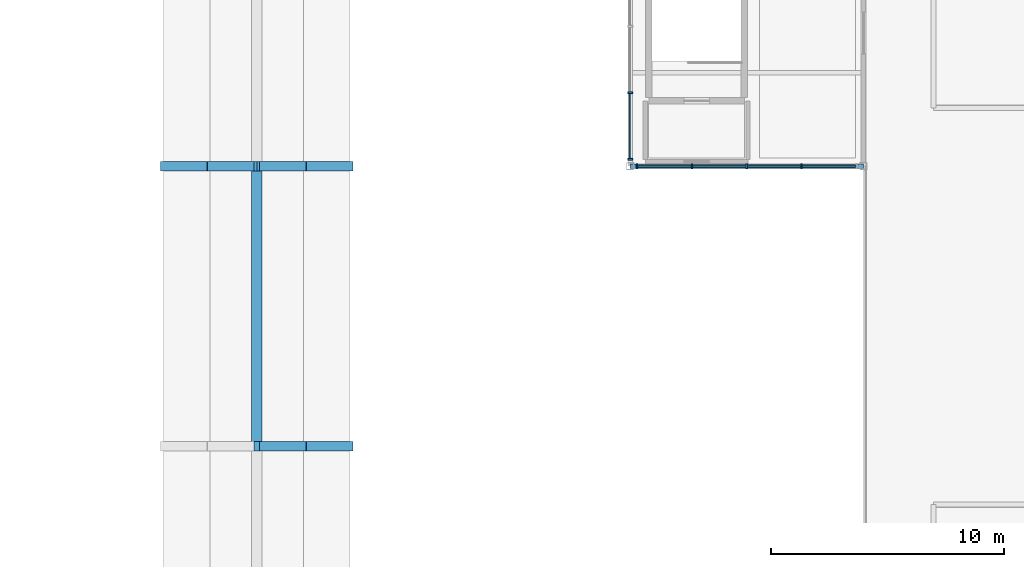
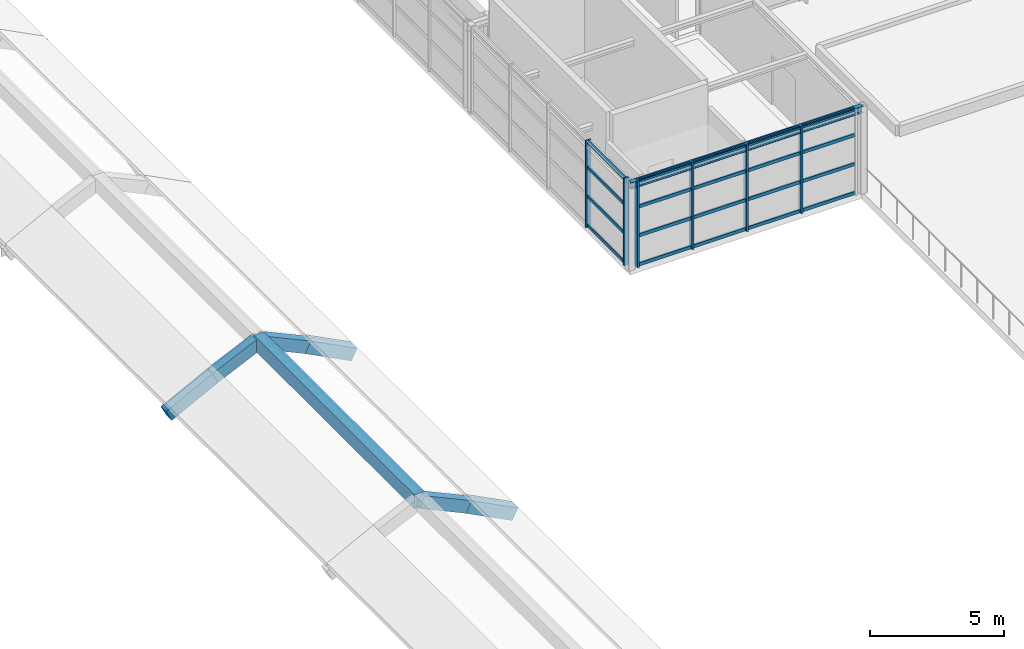
# One storey, part 16 of 49: 26 members, 8 beams, 2 elements without a shape of their own.
"""IFC4 building model written with IfcOpenShell, lengths in metres."""

import ifcopenshell
import ifcopenshell.guid

model = None  # the IFC model being written
_history = None  # IfcOwnerHistory: only IFC2X3 demands one
_inside = {}  # id of a spatial element -> (the spatial element, [elements in it])
_under = {}  # id of a project, library or spatial element -> (it, [spatial elements below it])
_declared = {}  # id of a project -> (the project, [libraries it declares])
_typed = {}  # id of a type object -> (the type object, [elements of that type])
_made_of = {}  # id of a material, layer set ... -> (it, [elements and type objects made of it])


def new_model(schema):
    """Start an empty IFC model of exactly this schema.

    Asked for "IFC4X3", IfcOpenShell would pick the latest addendum, in which some entities
    have other attributes; the version numbers below select the first issue.
    IFC2X3 requires an IfcOwnerHistory on every rooted entity: one is made here for all.
    """
    global model, _history
    if schema == "IFC4X3":
        model = ifcopenshell.file(schema_version=(4, 3, 0, 0))
    else:
        model = ifcopenshell.file(schema=schema)
    _inside.clear()
    _under.clear()
    _declared.clear()
    _typed.clear()
    _made_of.clear()
    _history = None
    if model.schema == "IFC2X3":
        org = make("IfcOrganization", Name="unknown")
        user = make(
            "IfcPersonAndOrganization",
            ThePerson=make("IfcPerson", FamilyName="unknown"),
            TheOrganization=org,
        )
        app = make(
            "IfcApplication",
            ApplicationDeveloper=org,
            Version="unknown",
            ApplicationFullName="unknown",
            ApplicationIdentifier="unknown",
        )
        _history = make(
            "IfcOwnerHistory",
            OwningUser=user,
            OwningApplication=app,
            ChangeAction="ADDED",
            CreationDate=0,
        )
    return model


def make(cls, **values):
    """One entity of the class cls with the attributes given. An attribute that is None is left unset."""
    return model.create_entity(
        cls, **{name: value for name, value in values.items() if value is not None}
    )


def rooted(cls, **values):
    """An entity with a GlobalId (a new one), such as an element, a storey or a relation."""
    return make(cls, GlobalId=ifcopenshell.guid.new(), OwnerHistory=_history, **values)


def si_unit(unit_type, name, prefix=None):
    """IfcSIUnit, for example si_unit("LENGTHUNIT", "METRE", prefix="MILLI")."""
    return make("IfcSIUnit", UnitType=unit_type, Prefix=prefix, Name=name)


def assignment(units):
    """IfcUnitAssignment: the units of a project."""
    return None if units is None else make("IfcUnitAssignment", Units=units)


def point(xyz):
    """IfcCartesianPoint."""
    return None if xyz is None else make("IfcCartesianPoint", Coordinates=xyz)


def direction(xyz):
    """IfcDirection."""
    return None if xyz is None else make("IfcDirection", DirectionRatios=xyz)


def frame(location, z_axis=None, x_axis=None):
    """IfcAxis2Placement3D, a coordinate frame: its origin and axes. An axis left out is left unset."""
    return make(
        "IfcAxis2Placement3D",
        Location=point(location),
        Axis=direction(z_axis),
        RefDirection=direction(x_axis),
    )


def frame_2d(location, x_axis=None):
    """IfcAxis2Placement2D, a coordinate frame in the plane: its origin and x axis."""
    return make(
        "IfcAxis2Placement2D", Location=point(location), RefDirection=direction(x_axis)
    )


def origin():
    """The frame at (0, 0, 0) with its axes left unset."""
    return frame((0.0, 0.0, 0.0))


def origin_2d():
    """The frame at (0, 0) in the plane with its x axis left unset."""
    return frame_2d((0.0, 0.0))


def place(relative_to, where):
    """IfcLocalPlacement: puts the frame where relative to a parent placement (None: the world)."""
    return make(
        "IfcLocalPlacement", PlacementRelTo=relative_to, RelativePlacement=where
    )


def context(
    kind, dimensions, precision=None, world=None, true_north=None, identifier=None
):
    """IfcGeometricRepresentationContext, for example the 3D "Model" context."""
    return make(
        "IfcGeometricRepresentationContext",
        ContextIdentifier=identifier,
        ContextType=kind,
        CoordinateSpaceDimension=dimensions,
        Precision=precision,
        WorldCoordinateSystem=world,
        TrueNorth=true_north,
    )


def subcontext(parent, identifier, kind, view, scale=None):
    """IfcGeometricRepresentationSubContext, for example "Body" below "Model"."""
    return make(
        "IfcGeometricRepresentationSubContext",
        ContextIdentifier=identifier,
        ContextType=kind,
        ParentContext=parent,
        TargetScale=scale,
        TargetView=view,
    )


def project(units=None, contexts=None):
    """IfcProject with its units and contexts."""
    return rooted(
        "IfcProject",
        Name="project",
        RepresentationContexts=contexts,
        UnitsInContext=assignment(units),
    )


def spatial(cls, under=None, at=None, **own):
    """A site, building, storey or space (cls), placed at a placement, below another one or the project."""
    s = rooted(cls, ObjectPlacement=at, **own)
    if under is not None:
        _under.setdefault(under.id(), (under, []))[1].append(s)
    return s


def profile(cls, at=None, kind="AREA", **sizes):
    """A parametric profile (cls). Its sizes go by their IFC names, for example OverallWidth=200.0."""
    return make(cls, ProfileType=kind, Position=at, **sizes)


def rectangle(**sizes):
    """IfcRectangleProfileDef."""
    return profile("IfcRectangleProfileDef", **sizes)


def i_section(**sizes):
    """IfcIShapeProfileDef."""
    return profile("IfcIShapeProfileDef", **sizes)


def extrude(swept, where, along, depth):
    """IfcExtrudedAreaSolid: the profile swept, set in the frame where, extruded along a direction by depth."""
    return make(
        "IfcExtrudedAreaSolid",
        SweptArea=swept,
        Position=where,
        ExtrudedDirection=direction(along),
        Depth=depth,
    )


def shape(context_of_items, identifier, shape_type, items):
    """IfcShapeRepresentation: the items that make up one representation, for example the "Body"."""
    return make(
        "IfcShapeRepresentation",
        ContextOfItems=context_of_items,
        RepresentationIdentifier=identifier,
        RepresentationType=shape_type,
        Items=items,
    )


def material(Name=None, Category=None):
    """IfcMaterial."""
    return make("IfcMaterial", Name=Name, Category=Category)


def layer(
    of_material, thickness, ventilated=None, Name=None, Category=None, Priority=None
):
    """IfcMaterialLayer: one layer of a wall or slab, of a material (None: an air gap)."""
    return make(
        "IfcMaterialLayer",
        Material=of_material,
        LayerThickness=thickness,
        IsVentilated=ventilated,
        Name=Name,
        Category=Category,
        Priority=Priority,
    )


def layer_set(layers, Name=None):
    """IfcMaterialLayerSet."""
    return make("IfcMaterialLayerSet", MaterialLayers=layers, LayerSetName=Name)


def material_profile(
    of_material, cross_section, Name=None, Category=None, Priority=None
):
    """IfcMaterialProfile: a cross section and its material."""
    return make(
        "IfcMaterialProfile",
        Name=Name,
        Material=of_material,
        Profile=cross_section,
        Priority=Priority,
        Category=Category,
    )


def profile_set(profiles, Name=None, composite=None):
    """IfcMaterialProfileSet."""
    return make(
        "IfcMaterialProfileSet",
        Name=Name,
        MaterialProfiles=profiles,
        CompositeProfile=composite,
    )


def made_of(thing, what):
    """Note that an element or type object is made of a material, layer set ...; save() writes the relation."""
    if what is not None:
        _made_of.setdefault(what.id(), (what, []))[1].append(thing)
    return thing


def type_object(cls, material=None, **own):
    """A type object (cls), such as IfcWallType, which elements share."""
    return made_of(rooted(cls, **own), material)


def element(
    cls,
    number,
    at=None,
    inside=None,
    cuts=None,
    type_object=None,
    material=None,
    context=None,
    identifier="Body",
    shape_type=None,
    held_by="IfcProductDefinitionShape",
    body=None,
    shapes=None,
    **own,
):
    """One element of the class cls, such as IfcWall. Its Tag is "e" and its number.

    at: its placement. inside: the storey or other place that contains it. cuts: it is an
    opening in that element (IfcRelVoidsElement). A single representation is given by context,
    identifier, shape_type and body (its items); several are given by shapes. held_by: the class
    of the entity that holds the representations. save() writes the other relations.
    """
    e = rooted(cls, Tag="e%d" % number, ObjectPlacement=at, **own)
    if body is not None:
        shapes = [shape(context, identifier, shape_type, body)]
    if shapes is not None:
        e.Representation = make(held_by, Representations=shapes)
    if inside is not None:
        _inside.setdefault(inside.id(), (inside, []))[1].append(e)
    if cuts is not None:
        rooted(
            "IfcRelVoidsElement", RelatingBuildingElement=cuts, RelatedOpeningElement=e
        )
    if type_object is not None:
        _typed.setdefault(type_object.id(), (type_object, []))[1].append(e)
    return made_of(e, material)


def aggregate(whole, parts):
    """IfcRelAggregates: a whole, such as a stair, and the parts it consists of."""
    return rooted("IfcRelAggregates", RelatingObject=whole, RelatedObjects=parts)


def save(model, path):
    """Write the relations noted so far, then the file.

    IfcRelAggregates (storeys below a building ...), IfcRelContainedInSpatialStructure (elements
    in a storey), IfcRelDefinesByType, IfcRelAssociatesMaterial and IfcRelDeclares: one each for
    every whole, place, type object, material and project.
    """
    for whole, parts in _under.values():
        aggregate(whole, parts)
    for where, things in _inside.values():
        rooted(
            "IfcRelContainedInSpatialStructure",
            RelatedElements=things,
            RelatingStructure=where,
        )
    for kind, things in _typed.values():
        rooted("IfcRelDefinesByType", RelatedObjects=things, RelatingType=kind)
    for what, things in _made_of.values():
        rooted("IfcRelAssociatesMaterial", RelatedObjects=things, RelatingMaterial=what)
    for by, libraries in _declared.values():
        rooted("IfcRelDeclares", RelatingContext=by, RelatedDefinitions=libraries)
    model.write(path)


model = new_model("IFC4")

# Units and contexts
model_context = context("Model", 3, precision=1e-05, world=origin(), true_north=direction((0.0, 1.0)))
body_context = subcontext(model_context, "Body", "Model", "MODEL_VIEW")
ifc_project = project(units=[si_unit("LENGTHUNIT", "METRE"), si_unit("AREAUNIT", "SQUARE_METRE"), si_unit("VOLUMEUNIT", "CUBIC_METRE"), si_unit("PLANEANGLEUNIT", "RADIAN"), si_unit("MASSUNIT", "GRAM", prefix="KILO")], contexts=[model_context])

# Site, building, storey
site_placement = place(None, origin())
site = spatial("IfcSite", under=ifc_project, at=site_placement, CompositionType="ELEMENT")
building_placement = place(site_placement, origin())
building = spatial("IfcBuilding", under=site, at=building_placement, Name="Sitalva Quay Ferry Terminal", CompositionType="ELEMENT")
storey_placement = place(building_placement, frame((0.0, 0.0, 10.199951171875)))
storey = spatial("IfcBuildingStorey", under=building, at=storey_placement, Name="L03", CompositionType="ELEMENT", Elevation=10.199951171875)

# Beams
ifc_material_1 = material(Name="Concrete C40/50", Category="concrete")
ifc_material_profile_1 = material_profile(ifc_material_1, rectangle(XDim=0.39990234375, YDim=0.550048828125, at=origin_2d()), Name="RC400x550")
ifc_profile_set_1 = profile_set([ifc_material_profile_1], Name="Concrete C40/50")
beam_type_1 = type_object("IfcBeamType", Name="Beam_Arch_RC400x550", PredefinedType="BEAM", material=ifc_profile_set_1)
beam_1_placement = place(storey_placement, frame((58.0, 54.0, 2.348876953125), z_axis=(0.908124785196, 0.0, -0.418699623253), x_axis=(0.0, 1.0, 0.0)))
element("IfcBeam", 1, at=beam_1_placement, inside=storey, type_object=beam_type_1, Name="Vault V1 transverse arch rib 5.9", PredefinedType="BEAM", context=body_context, shape_type="SweptSolid", body=[
    extrude(rectangle(XDim=0.39990234375, YDim=0.550048828125, at=origin_2d()), origin(), (0.0, 0.0, 1.0), 2.202392578125),
])
for number, where, z_axis, x_axis, name in (
    (2, (60.0, 54.0, 1.423095703125), (0.88942149916, 0.0, -0.457087953059), (0.0, 1.0, 0.0), "Vault V1 transverse arch rib 5.10"),
    (3, (54.0, 66.0, 0.395263671875), (0.88942149916, 0.0, 0.457087953059), (0.0, 1.0, 0.0), "Vault V1 transverse arch rib 6.7"),
):
    element("IfcBeam", number, at=place(storey_placement, frame(where, z_axis=z_axis, x_axis=x_axis)), inside=storey, type_object=beam_type_1, Name=name, PredefinedType="BEAM", context=body_context, shape_type="SweptSolid", body=[
        extrude(rectangle(XDim=0.39990234375, YDim=0.550048828125, at=origin_2d()), origin(), (0.0, 0.0, 1.0), 2.24853515625),
    ])
for number, where, z_axis, x_axis, name in (
    (4, (56.0, 66.0, 1.4267578125), (0.908124785196, 0.0, 0.418699623253), (0.0, 1.0, 0.0), "Vault V1 transverse arch rib 6.8"),
    (5, (58.0, 66.0, 2.348876953125), (0.908124785196, 0.0, -0.418699623253), (0.0, 1.0, 0.0), "Vault V1 transverse arch rib 6.9"),
):
    element("IfcBeam", number, at=place(storey_placement, frame(where, z_axis=z_axis, x_axis=x_axis)), inside=storey, type_object=beam_type_1, Name=name, PredefinedType="BEAM", context=body_context, shape_type="SweptSolid", body=[
        extrude(rectangle(XDim=0.39990234375, YDim=0.550048828125, at=origin_2d()), origin(), (0.0, 0.0, 1.0), 2.202392578125),
    ])
beam_2_placement = place(storey_placement, frame((60.0, 66.0, 1.423095703125), z_axis=(0.88942149916, 0.0, -0.457087953059), x_axis=(0.0, 1.0, 0.0)))
element("IfcBeam", 6, at=beam_2_placement, inside=storey, type_object=beam_type_1, Name="Vault V1 transverse arch rib 6.10", PredefinedType="BEAM", context=body_context, shape_type="SweptSolid", body=[
    extrude(rectangle(XDim=0.39990234375, YDim=0.550048828125, at=origin_2d()), origin(), (0.0, 0.0, 1.0), 2.24853515625),
])
ifc_material_2 = material(Name="Concrete C40/50", Category="concrete")
ifc_material_profile_2 = material_profile(ifc_material_2, rectangle(XDim=0.449951171875, YDim=0.64990234375, at=origin_2d()), Name="RC450x650")
ifc_profile_set_2 = profile_set([ifc_material_profile_2], Name="Concrete C40/50")
beam_type_2 = type_object("IfcBeamType", Name="Beam_Ridge_RC450x650", PredefinedType="BEAM", material=ifc_profile_set_2)
beam_3_placement = place(storey_placement, frame((58.0, 54.0, 2.31494140625), z_axis=(0.0, 1.0, 0.0), x_axis=(-1.0, 0.0, 0.0)))
element("IfcBeam", 7, at=beam_3_placement, inside=storey, type_object=beam_type_2, Name="Vault V1 pointed ridge beam bay 5", PredefinedType="BEAM", context=body_context, shape_type="SweptSolid", body=[
    extrude(rectangle(XDim=0.449951171875, YDim=0.64990234375, at=origin_2d()), origin(), (0.0, 0.0, 1.0), 12.0),
])
ifc_material_3 = material(Name="Structural Steel S355JR", Category="steel")
ifc_material_profile_3 = material_profile(ifc_material_3, i_section(OverallWidth=0.202880859375, OverallDepth=0.302978515625, WebThickness=0.007568359375, FlangeThickness=0.01318359375, FilletRadius=0.011962890625, at=origin_2d()), Name="W310x60")
ifc_profile_set_3 = profile_set([ifc_material_profile_3], Name="Structural Steel S355JR")
beam_type_3 = type_object("IfcBeamType", Name="Beam_W310x60", PredefinedType="BEAM", material=ifc_profile_set_3)
beam_4_placement = place(storey_placement, frame((74.0, 66.0, 3.80859375), z_axis=(1.0, 0.0, 0.0), x_axis=(0.0, 1.0, 0.0)))
element("IfcBeam", 8, at=beam_4_placement, inside=storey, type_object=beam_type_3, Name="L03 Primary X girder 1196", PredefinedType="BEAM", context=body_context, shape_type="SweptSolid", body=[
    extrude(i_section(OverallWidth=0.202880859375, OverallDepth=0.302978515625, WebThickness=0.007568359375, FlangeThickness=0.01318359375, FilletRadius=0.011962890625, at=origin_2d()), origin(), (0.0, 0.0, 1.0), 10.0),
])

# Curtain wall, members
ifc_material_4 = material(Name="Anodised Aluminium & Low-E Glazing", Category="aluminium")
ifc_layer = layer(ifc_material_4, 0.159912109375)
ifc_layer_set = layer_set([ifc_layer], Name="Anodised Aluminium & Low-E Glazing")
curtain_wall_type = type_object("IfcCurtainWallType", Name="CW_Office_Unitised", PredefinedType="USERDEFINED", material=ifc_layer_set)
curtain_wall_1_placement = place(storey_placement, origin())
curtain_wall_1 = element("IfcCurtainWall", 9, at=curtain_wall_1_placement, inside=storey, type_object=curtain_wall_type, Name="L03 north spine south glazing (CW-L03-090)", ObjectType="CURTAIN_WALL", PredefinedType="USERDEFINED")
ifc_material_5 = material(Name="Anodised Aluminium 6063-T6", Category="aluminium")
ifc_material_profile_4 = material_profile(ifc_material_5, rectangle(XDim=0.074951171875, YDim=0.219970703125, at=origin_2d()), Name="ALU75x220")
ifc_profile_set_4 = profile_set([ifc_material_profile_4], Name="Anodised Aluminium 6063-T6")
member_type_1 = type_object("IfcMemberType", Name="Mullion_Alu_75x160", PredefinedType="MULLION", material=ifc_profile_set_4)
member_1_placement = place(storey_placement, frame((74.300048828125, 66.0, 0.0), z_axis=(0.0, 0.0, 1.0), x_axis=(1.0, 0.0, 0.0)))
member_1 = element("IfcMember", 10, at=member_1_placement, type_object=member_type_1, Name="CW-L03-090-M0", PredefinedType="MULLION", context=body_context, shape_type="SweptSolid", body=[
    extrude(rectangle(XDim=0.074951171875, YDim=0.219970703125, at=origin_2d()), origin(), (0.0, 0.0, 1.0), 3.9599609375),
])
member_2_placement = place(storey_placement, frame((76.64990234375, 66.0, 0.0), z_axis=(0.0, 0.0, 1.0), x_axis=(1.0, 0.0, 0.0)))
member_2 = element("IfcMember", 11, at=member_2_placement, type_object=member_type_1, Name="CW-L03-090-M1", PredefinedType="MULLION", context=body_context, shape_type="SweptSolid", body=[
    extrude(rectangle(XDim=0.074951171875, YDim=0.219970703125, at=origin_2d()), origin(), (0.0, 0.0, 1.0), 3.9599609375),
])
member_3_placement = place(storey_placement, frame((79.0, 66.0, 0.0), z_axis=(0.0, 0.0, 1.0), x_axis=(1.0, 0.0, 0.0)))
member_3 = element("IfcMember", 12, at=member_3_placement, type_object=member_type_1, Name="CW-L03-090-M2", PredefinedType="MULLION", context=body_context, shape_type="SweptSolid", body=[
    extrude(rectangle(XDim=0.074951171875, YDim=0.219970703125, at=origin_2d()), origin(), (0.0, 0.0, 1.0), 3.9599609375),
])
member_4_placement = place(storey_placement, frame((81.35009765625, 66.0, 0.0), z_axis=(0.0, 0.0, 1.0), x_axis=(1.0, 0.0, 0.0)))
member_4 = element("IfcMember", 13, at=member_4_placement, type_object=member_type_1, Name="CW-L03-090-M3", PredefinedType="MULLION", context=body_context, shape_type="SweptSolid", body=[
    extrude(rectangle(XDim=0.074951171875, YDim=0.219970703125, at=origin_2d()), origin(), (0.0, 0.0, 1.0), 3.9599609375),
])

curtain_wall_2_placement = place(storey_placement, origin())
curtain_wall_2 = element("IfcCurtainWall", 14, at=curtain_wall_2_placement, inside=storey, type_object=curtain_wall_type, Name="L03 north spine west glazing (CW-L03-091)", ObjectType="CURTAIN_WALL", PredefinedType="USERDEFINED")
member_5_placement = place(storey_placement, frame((74.0, 66.300048828125, 0.0), z_axis=(0.0, 0.0, 1.0), x_axis=(0.0, 1.0, 0.0)))
member_5 = element("IfcMember", 15, at=member_5_placement, type_object=member_type_1, Name="CW-L03-091-M0", PredefinedType="MULLION", context=body_context, shape_type="SweptSolid", body=[
    extrude(rectangle(XDim=0.074951171875, YDim=0.219970703125, at=origin_2d()), origin(), (0.0, 0.0, 1.0), 3.9599609375),
])
member_6_placement = place(storey_placement, frame((74.0, 69.14990234375, 0.0), z_axis=(0.0, 0.0, 1.0), x_axis=(0.0, 1.0, 0.0)))
member_6 = element("IfcMember", 16, at=member_6_placement, type_object=member_type_1, Name="CW-L03-091-M1", PredefinedType="MULLION", context=body_context, shape_type="SweptSolid", body=[
    extrude(rectangle(XDim=0.074951171875, YDim=0.219970703125, at=origin_2d()), origin(), (0.0, 0.0, 1.0), 3.9599609375),
])

# Member
ifc_material_6 = material(Name="Anodised Aluminium 6063-T6", Category="aluminium")
ifc_material_profile_5 = material_profile(ifc_material_6, rectangle(XDim=0.074951171875, YDim=0.14990234375, at=origin_2d()), Name="ALU75x150")
ifc_profile_set_5 = profile_set([ifc_material_profile_5], Name="Anodised Aluminium 6063-T6")
member_type_2 = type_object("IfcMemberType", Name="Transom_Alu_75x140", PredefinedType="MULLION", material=ifc_profile_set_5)
member_7_placement = place(storey_placement, frame((74.33740234375, 66.0, 0.074951171875), z_axis=(1.0, 0.0, 0.0), x_axis=(0.0, 1.0, 0.0)))
member_7 = element("IfcMember", 17, at=member_7_placement, type_object=member_type_2, Name="CW-L03-090-T0-0", ObjectType="TRANSOM", PredefinedType="USERDEFINED", context=body_context, shape_type="SweptSolid", body=[
    extrude(rectangle(XDim=0.074951171875, YDim=0.14990234375, at=origin_2d()), origin(), (0.0, 0.0, 1.0), 2.275146484375),
])

member_8_placement = place(storey_placement, frame((74.33740234375, 66.0, 1.39501953125), z_axis=(1.0, 0.0, 0.0), x_axis=(0.0, 1.0, 0.0)))
member_8 = element("IfcMember", 18, at=member_8_placement, type_object=member_type_2, Name="CW-L03-090-T0-1", ObjectType="TRANSOM", PredefinedType="USERDEFINED", context=body_context, shape_type="SweptSolid", body=[
    extrude(rectangle(XDim=0.074951171875, YDim=0.14990234375, at=origin_2d()), origin(), (0.0, 0.0, 1.0), 2.275146484375),
])

member_9_placement = place(storey_placement, frame((74.33740234375, 66.0, 2.715087890625), z_axis=(1.0, 0.0, 0.0), x_axis=(0.0, 1.0, 0.0)))
member_9 = element("IfcMember", 19, at=member_9_placement, type_object=member_type_2, Name="CW-L03-090-T0-2", ObjectType="TRANSOM", PredefinedType="USERDEFINED", context=body_context, shape_type="SweptSolid", body=[
    extrude(rectangle(XDim=0.074951171875, YDim=0.14990234375, at=origin_2d()), origin(), (0.0, 0.0, 1.0), 2.275146484375),
])

member_10_placement = place(storey_placement, frame((74.33740234375, 66.0, 3.885009765625), z_axis=(1.0, 0.0, 0.0), x_axis=(0.0, 1.0, 0.0)))
member_10 = element("IfcMember", 20, at=member_10_placement, type_object=member_type_2, Name="CW-L03-090-T0-3", ObjectType="TRANSOM", PredefinedType="USERDEFINED", context=body_context, shape_type="SweptSolid", body=[
    extrude(rectangle(XDim=0.074951171875, YDim=0.14990234375, at=origin_2d()), origin(), (0.0, 0.0, 1.0), 2.275146484375),
])

member_11_placement = place(storey_placement, frame((76.6875, 66.0, 0.074951171875), z_axis=(1.0, 0.0, 0.0), x_axis=(0.0, 1.0, 0.0)))
member_11 = element("IfcMember", 21, at=member_11_placement, type_object=member_type_2, Name="CW-L03-090-T1-0", ObjectType="TRANSOM", PredefinedType="USERDEFINED", context=body_context, shape_type="SweptSolid", body=[
    extrude(rectangle(XDim=0.074951171875, YDim=0.14990234375, at=origin_2d()), origin(), (0.0, 0.0, 1.0), 2.27490234375),
])

member_12_placement = place(storey_placement, frame((76.6875, 66.0, 1.39501953125), z_axis=(1.0, 0.0, 0.0), x_axis=(0.0, 1.0, 0.0)))
member_12 = element("IfcMember", 22, at=member_12_placement, type_object=member_type_2, Name="CW-L03-090-T1-1", ObjectType="TRANSOM", PredefinedType="USERDEFINED", context=body_context, shape_type="SweptSolid", body=[
    extrude(rectangle(XDim=0.074951171875, YDim=0.14990234375, at=origin_2d()), origin(), (0.0, 0.0, 1.0), 2.27490234375),
])

member_13_placement = place(storey_placement, frame((76.6875, 66.0, 2.715087890625), z_axis=(1.0, 0.0, 0.0), x_axis=(0.0, 1.0, 0.0)))
member_13 = element("IfcMember", 23, at=member_13_placement, type_object=member_type_2, Name="CW-L03-090-T1-2", ObjectType="TRANSOM", PredefinedType="USERDEFINED", context=body_context, shape_type="SweptSolid", body=[
    extrude(rectangle(XDim=0.074951171875, YDim=0.14990234375, at=origin_2d()), origin(), (0.0, 0.0, 1.0), 2.27490234375),
])

member_14_placement = place(storey_placement, frame((76.6875, 66.0, 3.885009765625), z_axis=(1.0, 0.0, 0.0), x_axis=(0.0, 1.0, 0.0)))
member_14 = element("IfcMember", 24, at=member_14_placement, type_object=member_type_2, Name="CW-L03-090-T1-3", ObjectType="TRANSOM", PredefinedType="USERDEFINED", context=body_context, shape_type="SweptSolid", body=[
    extrude(rectangle(XDim=0.074951171875, YDim=0.14990234375, at=origin_2d()), origin(), (0.0, 0.0, 1.0), 2.27490234375),
])

member_15_placement = place(storey_placement, frame((79.03759765625, 66.0, 0.074951171875), z_axis=(1.0, 0.0, 0.0), x_axis=(0.0, 1.0, 0.0)))
member_15 = element("IfcMember", 25, at=member_15_placement, type_object=member_type_2, Name="CW-L03-090-T2-0", ObjectType="TRANSOM", PredefinedType="USERDEFINED", context=body_context, shape_type="SweptSolid", body=[
    extrude(rectangle(XDim=0.074951171875, YDim=0.14990234375, at=origin_2d()), origin(), (0.0, 0.0, 1.0), 2.27490234375),
])

member_16_placement = place(storey_placement, frame((79.03759765625, 66.0, 1.39501953125), z_axis=(1.0, 0.0, 0.0), x_axis=(0.0, 1.0, 0.0)))
member_16 = element("IfcMember", 26, at=member_16_placement, type_object=member_type_2, Name="CW-L03-090-T2-1", ObjectType="TRANSOM", PredefinedType="USERDEFINED", context=body_context, shape_type="SweptSolid", body=[
    extrude(rectangle(XDim=0.074951171875, YDim=0.14990234375, at=origin_2d()), origin(), (0.0, 0.0, 1.0), 2.27490234375),
])

member_17_placement = place(storey_placement, frame((79.03759765625, 66.0, 2.715087890625), z_axis=(1.0, 0.0, 0.0), x_axis=(0.0, 1.0, 0.0)))
member_17 = element("IfcMember", 27, at=member_17_placement, type_object=member_type_2, Name="CW-L03-090-T2-2", ObjectType="TRANSOM", PredefinedType="USERDEFINED", context=body_context, shape_type="SweptSolid", body=[
    extrude(rectangle(XDim=0.074951171875, YDim=0.14990234375, at=origin_2d()), origin(), (0.0, 0.0, 1.0), 2.27490234375),
])

member_18_placement = place(storey_placement, frame((79.03759765625, 66.0, 3.885009765625), z_axis=(1.0, 0.0, 0.0), x_axis=(0.0, 1.0, 0.0)))
member_18 = element("IfcMember", 28, at=member_18_placement, type_object=member_type_2, Name="CW-L03-090-T2-3", ObjectType="TRANSOM", PredefinedType="USERDEFINED", context=body_context, shape_type="SweptSolid", body=[
    extrude(rectangle(XDim=0.074951171875, YDim=0.14990234375, at=origin_2d()), origin(), (0.0, 0.0, 1.0), 2.27490234375),
])

member_19_placement = place(storey_placement, frame((81.387451171875, 66.0, 0.074951171875), z_axis=(1.0, 0.0, 0.0), x_axis=(0.0, 1.0, 0.0)))
member_19 = element("IfcMember", 29, at=member_19_placement, type_object=member_type_2, Name="CW-L03-090-T3-0", ObjectType="TRANSOM", PredefinedType="USERDEFINED", context=body_context, shape_type="SweptSolid", body=[
    extrude(rectangle(XDim=0.074951171875, YDim=0.14990234375, at=origin_2d()), origin(), (0.0, 0.0, 1.0), 2.275146484375),
])

member_20_placement = place(storey_placement, frame((81.387451171875, 66.0, 1.39501953125), z_axis=(1.0, 0.0, 0.0), x_axis=(0.0, 1.0, 0.0)))
member_20 = element("IfcMember", 30, at=member_20_placement, type_object=member_type_2, Name="CW-L03-090-T3-1", ObjectType="TRANSOM", PredefinedType="USERDEFINED", context=body_context, shape_type="SweptSolid", body=[
    extrude(rectangle(XDim=0.074951171875, YDim=0.14990234375, at=origin_2d()), origin(), (0.0, 0.0, 1.0), 2.275146484375),
])

member_21_placement = place(storey_placement, frame((81.387451171875, 66.0, 2.715087890625), z_axis=(1.0, 0.0, 0.0), x_axis=(0.0, 1.0, 0.0)))
member_21 = element("IfcMember", 31, at=member_21_placement, type_object=member_type_2, Name="CW-L03-090-T3-2", ObjectType="TRANSOM", PredefinedType="USERDEFINED", context=body_context, shape_type="SweptSolid", body=[
    extrude(rectangle(XDim=0.074951171875, YDim=0.14990234375, at=origin_2d()), origin(), (0.0, 0.0, 1.0), 2.275146484375),
])

member_22_placement = place(storey_placement, frame((81.387451171875, 66.0, 3.885009765625), z_axis=(1.0, 0.0, 0.0), x_axis=(0.0, 1.0, 0.0)))
member_22 = element("IfcMember", 32, at=member_22_placement, type_object=member_type_2, Name="CW-L03-090-T3-3", ObjectType="TRANSOM", PredefinedType="USERDEFINED", context=body_context, shape_type="SweptSolid", body=[
    extrude(rectangle(XDim=0.074951171875, YDim=0.14990234375, at=origin_2d()), origin(), (0.0, 0.0, 1.0), 2.275146484375),
])

aggregate(curtain_wall_1, [member_1, member_2, member_3, member_4, member_7, member_8, member_9, member_10, member_11, member_12, member_13, member_14, member_15, member_16, member_17, member_18, member_19, member_20, member_21, member_22])

member_23_placement = place(storey_placement, frame((74.0, 66.33740234375, 0.074951171875), z_axis=(0.0, 1.0, 0.0), x_axis=(-1.0, 0.0, 0.0)))
member_23 = element("IfcMember", 33, at=member_23_placement, type_object=member_type_2, Name="CW-L03-091-T0-0", ObjectType="TRANSOM", PredefinedType="USERDEFINED", context=body_context, shape_type="SweptSolid", body=[
    extrude(rectangle(XDim=0.074951171875, YDim=0.14990234375, at=origin_2d()), origin(), (0.0, 0.0, 1.0), 2.775146484375),
])

member_24_placement = place(storey_placement, frame((74.0, 66.33740234375, 1.39501953125), z_axis=(0.0, 1.0, 0.0), x_axis=(-1.0, 0.0, 0.0)))
member_24 = element("IfcMember", 34, at=member_24_placement, type_object=member_type_2, Name="CW-L03-091-T0-1", ObjectType="TRANSOM", PredefinedType="USERDEFINED", context=body_context, shape_type="SweptSolid", body=[
    extrude(rectangle(XDim=0.074951171875, YDim=0.14990234375, at=origin_2d()), origin(), (0.0, 0.0, 1.0), 2.775146484375),
])

member_25_placement = place(storey_placement, frame((74.0, 66.33740234375, 2.715087890625), z_axis=(0.0, 1.0, 0.0), x_axis=(-1.0, 0.0, 0.0)))
member_25 = element("IfcMember", 35, at=member_25_placement, type_object=member_type_2, Name="CW-L03-091-T0-2", ObjectType="TRANSOM", PredefinedType="USERDEFINED", context=body_context, shape_type="SweptSolid", body=[
    extrude(rectangle(XDim=0.074951171875, YDim=0.14990234375, at=origin_2d()), origin(), (0.0, 0.0, 1.0), 2.775146484375),
])

member_26_placement = place(storey_placement, frame((74.0, 66.33740234375, 3.885009765625), z_axis=(0.0, 1.0, 0.0), x_axis=(-1.0, 0.0, 0.0)))
member_26 = element("IfcMember", 36, at=member_26_placement, type_object=member_type_2, Name="CW-L03-091-T0-3", ObjectType="TRANSOM", PredefinedType="USERDEFINED", context=body_context, shape_type="SweptSolid", body=[
    extrude(rectangle(XDim=0.074951171875, YDim=0.14990234375, at=origin_2d()), origin(), (0.0, 0.0, 1.0), 2.775146484375),
])

aggregate(curtain_wall_2, [member_5, member_6, member_23, member_24, member_25, member_26])

save(model, "model.ifc")
